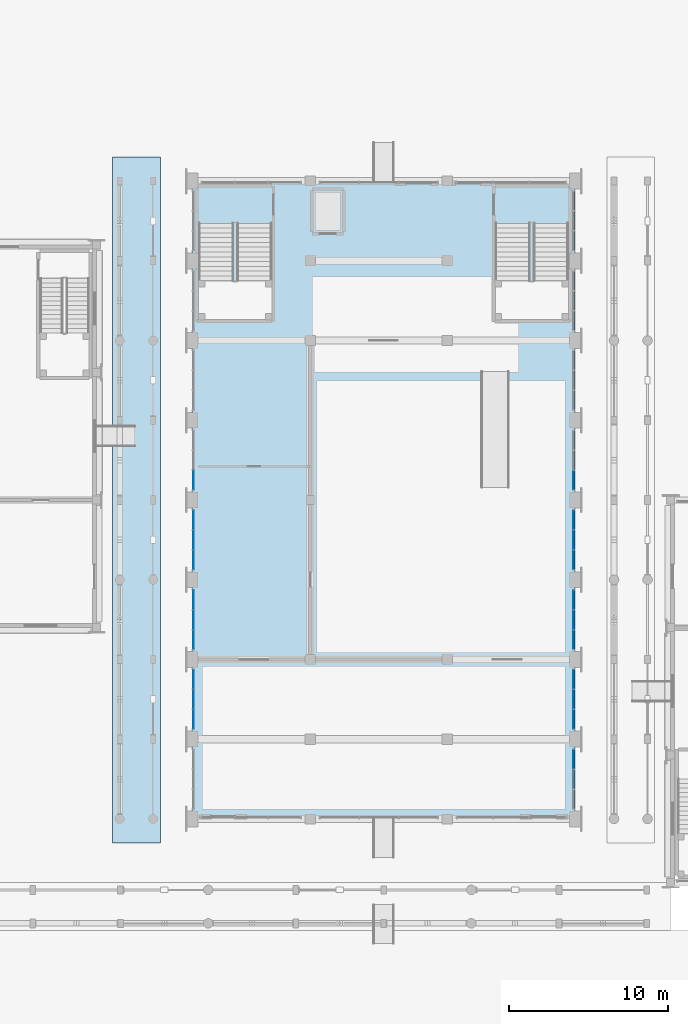
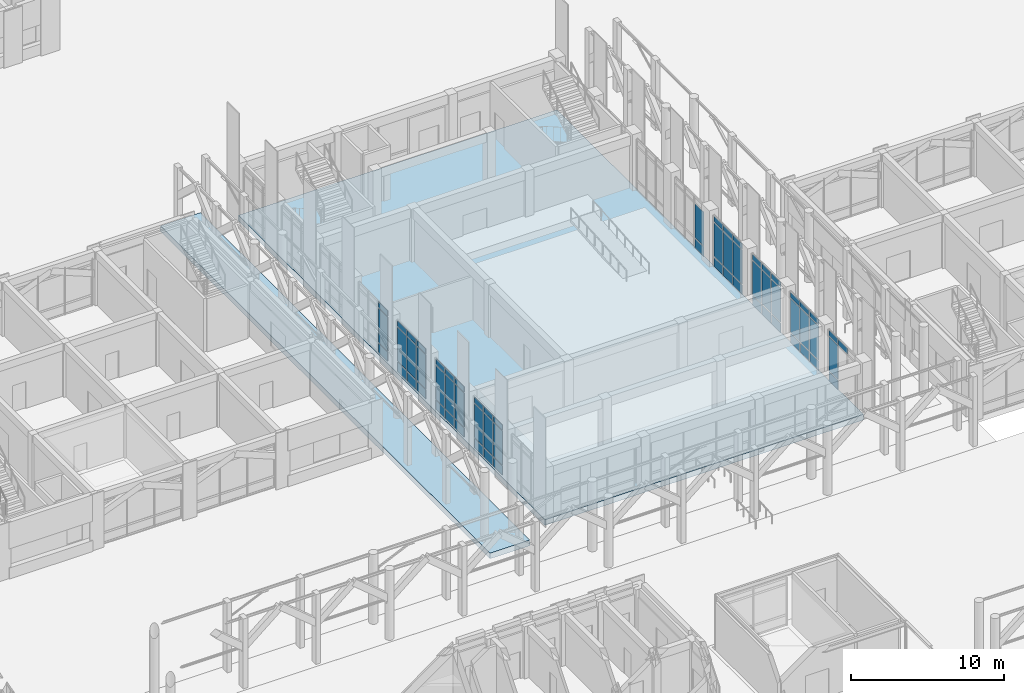
# One storey, part 61 of 135: 63 plates, 2 slabs, 9 elements without a shape of their own.
"""IFC4 building model written with IfcOpenShell, lengths in metres."""

from ifc_helpers import new_model, si_unit, direction, frame, origin, origin_2d, place, context, subcontext, project, spatial, polyline, rectangle, outline, extrude, material, layer, layer_set, type_object, element, aggregate, save


model = new_model("IFC4")

# Units and contexts
model_context = context("Model", 3, precision=1e-05, world=origin(), true_north=direction((0.0, 1.0)))
body_context = subcontext(model_context, "Body", "Model", "MODEL_VIEW")
ifc_project = project(units=[si_unit("LENGTHUNIT", "METRE"), si_unit("AREAUNIT", "SQUARE_METRE"), si_unit("VOLUMEUNIT", "CUBIC_METRE"), si_unit("PLANEANGLEUNIT", "RADIAN"), si_unit("MASSUNIT", "GRAM", prefix="KILO")], contexts=[model_context])

# Site, building, storey
site_placement = place(None, origin())
site = spatial("IfcSite", under=ifc_project, at=site_placement, CompositionType="ELEMENT")
building_placement = place(site_placement, origin())
building = spatial("IfcBuilding", under=site, at=building_placement, Name="Kiranvali Square Residences", CompositionType="ELEMENT")
storey_placement = place(building_placement, origin())
storey = spatial("IfcBuildingStorey", under=building, at=storey_placement, Name="L00", CompositionType="ELEMENT", Elevation=0.0)

# Curtain wall, plates
ifc_material_1 = material(Name="Anodised bronze aluminium framing", Category="aluminium")
curtain_wall_type = type_object("IfcCurtainWallType", Name="CW-CH-GLZ", PredefinedType="USERDEFINED", material=ifc_material_1)
curtain_wall_1_placement = place(storey_placement, origin())
curtain_wall_1 = element("IfcCurtainWall", 1, at=curtain_wall_1_placement, inside=storey, type_object=curtain_wall_type, Name="Community Hall L00 E glazed arcade bay 1", ObjectType="CURTAIN WALL", PredefinedType="USERDEFINED")
ifc_material_2 = material(Name="Solar-control low-e double glazing", Category="glass")
ifc_layer_1 = layer(ifc_material_2, 0.028076171875)
ifc_layer_set_1 = layer_set([ifc_layer_1], Name="Solar-control low-e double glazing")
plate_type_1 = type_object("IfcPlateType", Name="PLT-CW-GLZ", PredefinedType="CURTAIN_PANEL", material=ifc_layer_set_1)
plate_1_placement = place(storey_placement, frame((95.919921875, 46.5, 3.669921875), z_axis=(0.0, 0.0, 1.0), x_axis=(0.0, 1.0, 0.0)))
plate_1 = element("IfcPlate", 2, at=plate_1_placement, type_object=plate_type_1, Name="CW-CH-L00-E1 glazed panel 2.3", PredefinedType="CURTAIN_PANEL", context=body_context, shape_type="SweptSolid", body=[
    extrude(rectangle(XDim=1.166748046875, YDim=0.028076171875, at=origin_2d()), origin(), (0.0, 0.0, 1.0), 0.429931640625),
])
plate_2_placement = place(storey_placement, frame((95.919921875, 47.74658203125, 0.89013671875), z_axis=(0.0, 0.0, 1.0), x_axis=(0.0, 1.0, 0.0)))
plate_2 = element("IfcPlate", 3, at=plate_2_placement, type_object=plate_type_1, Name="CW-CH-L00-E1 glazed panel 3.2", PredefinedType="CURTAIN_PANEL", context=body_context, shape_type="SweptSolid", body=[
    extrude(rectangle(XDim=1.166748046875, YDim=0.028076171875, at=origin_2d()), origin(), (0.0, 0.0, 1.0), 2.699951171875),
])
plate_3_placement = place(storey_placement, frame((95.919921875, 47.74658203125, 3.669921875), z_axis=(0.0, 0.0, 1.0), x_axis=(0.0, 1.0, 0.0)))
plate_3 = element("IfcPlate", 4, at=plate_3_placement, type_object=plate_type_1, Name="CW-CH-L00-E1 glazed panel 3.3", PredefinedType="CURTAIN_PANEL", context=body_context, shape_type="SweptSolid", body=[
    extrude(rectangle(XDim=1.166748046875, YDim=0.028076171875, at=origin_2d()), origin(), (0.0, 0.0, 1.0), 0.429931640625),
])

curtain_wall_2_placement = place(storey_placement, origin())
curtain_wall_2 = element("IfcCurtainWall", 5, at=curtain_wall_2_placement, inside=storey, type_object=curtain_wall_type, Name="Community Hall L00 W glazed arcade bay 2", ObjectType="CURTAIN WALL", PredefinedType="USERDEFINED")
plate_4_placement = place(storey_placement, frame((72.080078125, 50.25341796875, 0.89013671875), z_axis=(0.0, 0.0, 1.0), x_axis=(0.0, 1.0, 0.0)))
plate_4 = element("IfcPlate", 6, at=plate_4_placement, type_object=plate_type_1, Name="CW-CH-L00-W2 glazed panel 1.2", PredefinedType="CURTAIN_PANEL", context=body_context, shape_type="SweptSolid", body=[
    extrude(rectangle(XDim=1.166748046875, YDim=0.028076171875, at=origin_2d()), origin(), (0.0, 0.0, 1.0), 2.699951171875),
])
plate_5_placement = place(storey_placement, frame((72.080078125, 50.25341796875, 3.669921875), z_axis=(0.0, 0.0, 1.0), x_axis=(0.0, 1.0, 0.0)))
plate_5 = element("IfcPlate", 7, at=plate_5_placement, type_object=plate_type_1, Name="CW-CH-L00-W2 glazed panel 1.3", PredefinedType="CURTAIN_PANEL", context=body_context, shape_type="SweptSolid", body=[
    extrude(rectangle(XDim=1.166748046875, YDim=0.028076171875, at=origin_2d()), origin(), (0.0, 0.0, 1.0), 0.429931640625),
])
plate_6_placement = place(storey_placement, frame((72.080078125, 51.5, 0.89013671875), z_axis=(0.0, 0.0, 1.0), x_axis=(0.0, 1.0, 0.0)))
plate_6 = element("IfcPlate", 8, at=plate_6_placement, type_object=plate_type_1, Name="CW-CH-L00-W2 glazed panel 2.2", PredefinedType="CURTAIN_PANEL", context=body_context, shape_type="SweptSolid", body=[
    extrude(rectangle(XDim=1.166748046875, YDim=0.028076171875, at=origin_2d()), origin(), (0.0, 0.0, 1.0), 2.699951171875),
])
plate_7_placement = place(storey_placement, frame((72.080078125, 51.5, 3.669921875), z_axis=(0.0, 0.0, 1.0), x_axis=(0.0, 1.0, 0.0)))
plate_7 = element("IfcPlate", 9, at=plate_7_placement, type_object=plate_type_1, Name="CW-CH-L00-W2 glazed panel 2.3", PredefinedType="CURTAIN_PANEL", context=body_context, shape_type="SweptSolid", body=[
    extrude(rectangle(XDim=1.166748046875, YDim=0.028076171875, at=origin_2d()), origin(), (0.0, 0.0, 1.0), 0.429931640625),
])
plate_8_placement = place(storey_placement, frame((72.080078125, 52.74658203125, 0.89013671875), z_axis=(0.0, 0.0, 1.0), x_axis=(0.0, 1.0, 0.0)))
plate_8 = element("IfcPlate", 10, at=plate_8_placement, type_object=plate_type_1, Name="CW-CH-L00-W2 glazed panel 3.2", PredefinedType="CURTAIN_PANEL", context=body_context, shape_type="SweptSolid", body=[
    extrude(rectangle(XDim=1.166748046875, YDim=0.028076171875, at=origin_2d()), origin(), (0.0, 0.0, 1.0), 2.699951171875),
])
plate_9_placement = place(storey_placement, frame((72.080078125, 52.74658203125, 3.669921875), z_axis=(0.0, 0.0, 1.0), x_axis=(0.0, 1.0, 0.0)))
plate_9 = element("IfcPlate", 11, at=plate_9_placement, type_object=plate_type_1, Name="CW-CH-L00-W2 glazed panel 3.3", PredefinedType="CURTAIN_PANEL", context=body_context, shape_type="SweptSolid", body=[
    extrude(rectangle(XDim=1.166748046875, YDim=0.028076171875, at=origin_2d()), origin(), (0.0, 0.0, 1.0), 0.429931640625),
])

curtain_wall_3_placement = place(storey_placement, origin())
curtain_wall_3 = element("IfcCurtainWall", 12, at=curtain_wall_3_placement, inside=storey, type_object=curtain_wall_type, Name="Community Hall L00 E glazed arcade bay 2", ObjectType="CURTAIN WALL", PredefinedType="USERDEFINED")
plate_10_placement = place(storey_placement, frame((95.919921875, 50.25341796875, 0.89013671875), z_axis=(0.0, 0.0, 1.0), x_axis=(0.0, 1.0, 0.0)))
plate_10 = element("IfcPlate", 13, at=plate_10_placement, type_object=plate_type_1, Name="CW-CH-L00-E2 glazed panel 1.2", PredefinedType="CURTAIN_PANEL", context=body_context, shape_type="SweptSolid", body=[
    extrude(rectangle(XDim=1.166748046875, YDim=0.028076171875, at=origin_2d()), origin(), (0.0, 0.0, 1.0), 2.699951171875),
])
plate_11_placement = place(storey_placement, frame((95.919921875, 50.25341796875, 3.669921875), z_axis=(0.0, 0.0, 1.0), x_axis=(0.0, 1.0, 0.0)))
plate_11 = element("IfcPlate", 14, at=plate_11_placement, type_object=plate_type_1, Name="CW-CH-L00-E2 glazed panel 1.3", PredefinedType="CURTAIN_PANEL", context=body_context, shape_type="SweptSolid", body=[
    extrude(rectangle(XDim=1.166748046875, YDim=0.028076171875, at=origin_2d()), origin(), (0.0, 0.0, 1.0), 0.429931640625),
])
plate_12_placement = place(storey_placement, frame((95.919921875, 51.5, 0.89013671875), z_axis=(0.0, 0.0, 1.0), x_axis=(0.0, 1.0, 0.0)))
plate_12 = element("IfcPlate", 15, at=plate_12_placement, type_object=plate_type_1, Name="CW-CH-L00-E2 glazed panel 2.2", PredefinedType="CURTAIN_PANEL", context=body_context, shape_type="SweptSolid", body=[
    extrude(rectangle(XDim=1.166748046875, YDim=0.028076171875, at=origin_2d()), origin(), (0.0, 0.0, 1.0), 2.699951171875),
])
plate_13_placement = place(storey_placement, frame((95.919921875, 51.5, 3.669921875), z_axis=(0.0, 0.0, 1.0), x_axis=(0.0, 1.0, 0.0)))
plate_13 = element("IfcPlate", 16, at=plate_13_placement, type_object=plate_type_1, Name="CW-CH-L00-E2 glazed panel 2.3", PredefinedType="CURTAIN_PANEL", context=body_context, shape_type="SweptSolid", body=[
    extrude(rectangle(XDim=1.166748046875, YDim=0.028076171875, at=origin_2d()), origin(), (0.0, 0.0, 1.0), 0.429931640625),
])
plate_14_placement = place(storey_placement, frame((95.919921875, 52.74658203125, 0.89013671875), z_axis=(0.0, 0.0, 1.0), x_axis=(0.0, 1.0, 0.0)))
plate_14 = element("IfcPlate", 17, at=plate_14_placement, type_object=plate_type_1, Name="CW-CH-L00-E2 glazed panel 3.2", PredefinedType="CURTAIN_PANEL", context=body_context, shape_type="SweptSolid", body=[
    extrude(rectangle(XDim=1.166748046875, YDim=0.028076171875, at=origin_2d()), origin(), (0.0, 0.0, 1.0), 2.699951171875),
])
plate_15_placement = place(storey_placement, frame((95.919921875, 52.74658203125, 3.669921875), z_axis=(0.0, 0.0, 1.0), x_axis=(0.0, 1.0, 0.0)))
plate_15 = element("IfcPlate", 18, at=plate_15_placement, type_object=plate_type_1, Name="CW-CH-L00-E2 glazed panel 3.3", PredefinedType="CURTAIN_PANEL", context=body_context, shape_type="SweptSolid", body=[
    extrude(rectangle(XDim=1.166748046875, YDim=0.028076171875, at=origin_2d()), origin(), (0.0, 0.0, 1.0), 0.429931640625),
])

curtain_wall_4_placement = place(storey_placement, origin())
curtain_wall_4 = element("IfcCurtainWall", 19, at=curtain_wall_4_placement, inside=storey, type_object=curtain_wall_type, Name="Community Hall L00 W glazed arcade bay 3", ObjectType="CURTAIN WALL", PredefinedType="USERDEFINED")
plate_16_placement = place(storey_placement, frame((72.080078125, 55.25341796875, 0.89013671875), z_axis=(0.0, 0.0, 1.0), x_axis=(0.0, 1.0, 0.0)))
plate_16 = element("IfcPlate", 20, at=plate_16_placement, type_object=plate_type_1, Name="CW-CH-L00-W3 glazed panel 1.2", PredefinedType="CURTAIN_PANEL", context=body_context, shape_type="SweptSolid", body=[
    extrude(rectangle(XDim=1.166748046875, YDim=0.028076171875, at=origin_2d()), origin(), (0.0, 0.0, 1.0), 2.699951171875),
])
plate_17_placement = place(storey_placement, frame((72.080078125, 55.25341796875, 3.669921875), z_axis=(0.0, 0.0, 1.0), x_axis=(0.0, 1.0, 0.0)))
plate_17 = element("IfcPlate", 21, at=plate_17_placement, type_object=plate_type_1, Name="CW-CH-L00-W3 glazed panel 1.3", PredefinedType="CURTAIN_PANEL", context=body_context, shape_type="SweptSolid", body=[
    extrude(rectangle(XDim=1.166748046875, YDim=0.028076171875, at=origin_2d()), origin(), (0.0, 0.0, 1.0), 0.429931640625),
])
plate_18_placement = place(storey_placement, frame((72.080078125, 56.5, 0.89013671875), z_axis=(0.0, 0.0, 1.0), x_axis=(0.0, 1.0, 0.0)))
plate_18 = element("IfcPlate", 22, at=plate_18_placement, type_object=plate_type_1, Name="CW-CH-L00-W3 glazed panel 2.2", PredefinedType="CURTAIN_PANEL", context=body_context, shape_type="SweptSolid", body=[
    extrude(rectangle(XDim=1.166748046875, YDim=0.028076171875, at=origin_2d()), origin(), (0.0, 0.0, 1.0), 2.699951171875),
])
plate_19_placement = place(storey_placement, frame((72.080078125, 56.5, 3.669921875), z_axis=(0.0, 0.0, 1.0), x_axis=(0.0, 1.0, 0.0)))
plate_19 = element("IfcPlate", 23, at=plate_19_placement, type_object=plate_type_1, Name="CW-CH-L00-W3 glazed panel 2.3", PredefinedType="CURTAIN_PANEL", context=body_context, shape_type="SweptSolid", body=[
    extrude(rectangle(XDim=1.166748046875, YDim=0.028076171875, at=origin_2d()), origin(), (0.0, 0.0, 1.0), 0.429931640625),
])
plate_20_placement = place(storey_placement, frame((72.080078125, 57.74658203125, 0.89013671875), z_axis=(0.0, 0.0, 1.0), x_axis=(0.0, 1.0, 0.0)))
plate_20 = element("IfcPlate", 24, at=plate_20_placement, type_object=plate_type_1, Name="CW-CH-L00-W3 glazed panel 3.2", PredefinedType="CURTAIN_PANEL", context=body_context, shape_type="SweptSolid", body=[
    extrude(rectangle(XDim=1.166748046875, YDim=0.028076171875, at=origin_2d()), origin(), (0.0, 0.0, 1.0), 2.699951171875),
])
plate_21_placement = place(storey_placement, frame((72.080078125, 57.74658203125, 3.669921875), z_axis=(0.0, 0.0, 1.0), x_axis=(0.0, 1.0, 0.0)))
plate_21 = element("IfcPlate", 25, at=plate_21_placement, type_object=plate_type_1, Name="CW-CH-L00-W3 glazed panel 3.3", PredefinedType="CURTAIN_PANEL", context=body_context, shape_type="SweptSolid", body=[
    extrude(rectangle(XDim=1.166748046875, YDim=0.028076171875, at=origin_2d()), origin(), (0.0, 0.0, 1.0), 0.429931640625),
])

curtain_wall_5_placement = place(storey_placement, origin())
curtain_wall_5 = element("IfcCurtainWall", 26, at=curtain_wall_5_placement, inside=storey, type_object=curtain_wall_type, Name="Community Hall L00 E glazed arcade bay 3", ObjectType="CURTAIN WALL", PredefinedType="USERDEFINED")
plate_22_placement = place(storey_placement, frame((95.919921875, 55.25341796875, 0.89013671875), z_axis=(0.0, 0.0, 1.0), x_axis=(0.0, 1.0, 0.0)))
plate_22 = element("IfcPlate", 27, at=plate_22_placement, type_object=plate_type_1, Name="CW-CH-L00-E3 glazed panel 1.2", PredefinedType="CURTAIN_PANEL", context=body_context, shape_type="SweptSolid", body=[
    extrude(rectangle(XDim=1.166748046875, YDim=0.028076171875, at=origin_2d()), origin(), (0.0, 0.0, 1.0), 2.699951171875),
])
plate_23_placement = place(storey_placement, frame((95.919921875, 55.25341796875, 3.669921875), z_axis=(0.0, 0.0, 1.0), x_axis=(0.0, 1.0, 0.0)))
plate_23 = element("IfcPlate", 28, at=plate_23_placement, type_object=plate_type_1, Name="CW-CH-L00-E3 glazed panel 1.3", PredefinedType="CURTAIN_PANEL", context=body_context, shape_type="SweptSolid", body=[
    extrude(rectangle(XDim=1.166748046875, YDim=0.028076171875, at=origin_2d()), origin(), (0.0, 0.0, 1.0), 0.429931640625),
])
plate_24_placement = place(storey_placement, frame((95.919921875, 56.5, 0.89013671875), z_axis=(0.0, 0.0, 1.0), x_axis=(0.0, 1.0, 0.0)))
plate_24 = element("IfcPlate", 29, at=plate_24_placement, type_object=plate_type_1, Name="CW-CH-L00-E3 glazed panel 2.2", PredefinedType="CURTAIN_PANEL", context=body_context, shape_type="SweptSolid", body=[
    extrude(rectangle(XDim=1.166748046875, YDim=0.028076171875, at=origin_2d()), origin(), (0.0, 0.0, 1.0), 2.699951171875),
])
plate_25_placement = place(storey_placement, frame((95.919921875, 56.5, 3.669921875), z_axis=(0.0, 0.0, 1.0), x_axis=(0.0, 1.0, 0.0)))
plate_25 = element("IfcPlate", 30, at=plate_25_placement, type_object=plate_type_1, Name="CW-CH-L00-E3 glazed panel 2.3", PredefinedType="CURTAIN_PANEL", context=body_context, shape_type="SweptSolid", body=[
    extrude(rectangle(XDim=1.166748046875, YDim=0.028076171875, at=origin_2d()), origin(), (0.0, 0.0, 1.0), 0.429931640625),
])
plate_26_placement = place(storey_placement, frame((95.919921875, 57.74658203125, 0.89013671875), z_axis=(0.0, 0.0, 1.0), x_axis=(0.0, 1.0, 0.0)))
plate_26 = element("IfcPlate", 31, at=plate_26_placement, type_object=plate_type_1, Name="CW-CH-L00-E3 glazed panel 3.2", PredefinedType="CURTAIN_PANEL", context=body_context, shape_type="SweptSolid", body=[
    extrude(rectangle(XDim=1.166748046875, YDim=0.028076171875, at=origin_2d()), origin(), (0.0, 0.0, 1.0), 2.699951171875),
])
plate_27_placement = place(storey_placement, frame((95.919921875, 57.74658203125, 3.669921875), z_axis=(0.0, 0.0, 1.0), x_axis=(0.0, 1.0, 0.0)))
plate_27 = element("IfcPlate", 32, at=plate_27_placement, type_object=plate_type_1, Name="CW-CH-L00-E3 glazed panel 3.3", PredefinedType="CURTAIN_PANEL", context=body_context, shape_type="SweptSolid", body=[
    extrude(rectangle(XDim=1.166748046875, YDim=0.028076171875, at=origin_2d()), origin(), (0.0, 0.0, 1.0), 0.429931640625),
])

curtain_wall_6_placement = place(storey_placement, origin())
curtain_wall_6 = element("IfcCurtainWall", 33, at=curtain_wall_6_placement, inside=storey, type_object=curtain_wall_type, Name="Community Hall L00 W glazed arcade bay 4", ObjectType="CURTAIN WALL", PredefinedType="USERDEFINED")
plate_28_placement = place(storey_placement, frame((72.080078125, 60.25341796875, 0.89013671875), z_axis=(0.0, 0.0, 1.0), x_axis=(0.0, 1.0, 0.0)))
plate_28 = element("IfcPlate", 34, at=plate_28_placement, type_object=plate_type_1, Name="CW-CH-L00-W4 glazed panel 1.2", PredefinedType="CURTAIN_PANEL", context=body_context, shape_type="SweptSolid", body=[
    extrude(rectangle(XDim=1.166748046875, YDim=0.028076171875, at=origin_2d()), origin(), (0.0, 0.0, 1.0), 2.699951171875),
])
plate_29_placement = place(storey_placement, frame((72.080078125, 60.25341796875, 3.669921875), z_axis=(0.0, 0.0, 1.0), x_axis=(0.0, 1.0, 0.0)))
plate_29 = element("IfcPlate", 35, at=plate_29_placement, type_object=plate_type_1, Name="CW-CH-L00-W4 glazed panel 1.3", PredefinedType="CURTAIN_PANEL", context=body_context, shape_type="SweptSolid", body=[
    extrude(rectangle(XDim=1.166748046875, YDim=0.028076171875, at=origin_2d()), origin(), (0.0, 0.0, 1.0), 0.429931640625),
])
plate_30_placement = place(storey_placement, frame((72.080078125, 61.5, 0.89013671875), z_axis=(0.0, 0.0, 1.0), x_axis=(0.0, 1.0, 0.0)))
plate_30 = element("IfcPlate", 36, at=plate_30_placement, type_object=plate_type_1, Name="CW-CH-L00-W4 glazed panel 2.2", PredefinedType="CURTAIN_PANEL", context=body_context, shape_type="SweptSolid", body=[
    extrude(rectangle(XDim=1.166748046875, YDim=0.028076171875, at=origin_2d()), origin(), (0.0, 0.0, 1.0), 2.699951171875),
])
plate_31_placement = place(storey_placement, frame((72.080078125, 61.5, 3.669921875), z_axis=(0.0, 0.0, 1.0), x_axis=(0.0, 1.0, 0.0)))
plate_31 = element("IfcPlate", 37, at=plate_31_placement, type_object=plate_type_1, Name="CW-CH-L00-W4 glazed panel 2.3", PredefinedType="CURTAIN_PANEL", context=body_context, shape_type="SweptSolid", body=[
    extrude(rectangle(XDim=1.166748046875, YDim=0.028076171875, at=origin_2d()), origin(), (0.0, 0.0, 1.0), 0.429931640625),
])
plate_32_placement = place(storey_placement, frame((72.080078125, 62.74658203125, 0.89013671875), z_axis=(0.0, 0.0, 1.0), x_axis=(0.0, 1.0, 0.0)))
plate_32 = element("IfcPlate", 38, at=plate_32_placement, type_object=plate_type_1, Name="CW-CH-L00-W4 glazed panel 3.2", PredefinedType="CURTAIN_PANEL", context=body_context, shape_type="SweptSolid", body=[
    extrude(rectangle(XDim=1.166748046875, YDim=0.028076171875, at=origin_2d()), origin(), (0.0, 0.0, 1.0), 2.699951171875),
])
plate_33_placement = place(storey_placement, frame((72.080078125, 62.74658203125, 3.669921875), z_axis=(0.0, 0.0, 1.0), x_axis=(0.0, 1.0, 0.0)))
plate_33 = element("IfcPlate", 39, at=plate_33_placement, type_object=plate_type_1, Name="CW-CH-L00-W4 glazed panel 3.3", PredefinedType="CURTAIN_PANEL", context=body_context, shape_type="SweptSolid", body=[
    extrude(rectangle(XDim=1.166748046875, YDim=0.028076171875, at=origin_2d()), origin(), (0.0, 0.0, 1.0), 0.429931640625),
])

curtain_wall_7_placement = place(storey_placement, origin())
curtain_wall_7 = element("IfcCurtainWall", 40, at=curtain_wall_7_placement, inside=storey, type_object=curtain_wall_type, Name="Community Hall L00 E glazed arcade bay 4", ObjectType="CURTAIN WALL", PredefinedType="USERDEFINED")
plate_34_placement = place(storey_placement, frame((95.919921875, 60.25341796875, 0.89013671875), z_axis=(0.0, 0.0, 1.0), x_axis=(0.0, 1.0, 0.0)))
plate_34 = element("IfcPlate", 41, at=plate_34_placement, type_object=plate_type_1, Name="CW-CH-L00-E4 glazed panel 1.2", PredefinedType="CURTAIN_PANEL", context=body_context, shape_type="SweptSolid", body=[
    extrude(rectangle(XDim=1.166748046875, YDim=0.028076171875, at=origin_2d()), origin(), (0.0, 0.0, 1.0), 2.699951171875),
])
plate_35_placement = place(storey_placement, frame((95.919921875, 60.25341796875, 3.669921875), z_axis=(0.0, 0.0, 1.0), x_axis=(0.0, 1.0, 0.0)))
plate_35 = element("IfcPlate", 42, at=plate_35_placement, type_object=plate_type_1, Name="CW-CH-L00-E4 glazed panel 1.3", PredefinedType="CURTAIN_PANEL", context=body_context, shape_type="SweptSolid", body=[
    extrude(rectangle(XDim=1.166748046875, YDim=0.028076171875, at=origin_2d()), origin(), (0.0, 0.0, 1.0), 0.429931640625),
])
plate_36_placement = place(storey_placement, frame((95.919921875, 61.5, 0.89013671875), z_axis=(0.0, 0.0, 1.0), x_axis=(0.0, 1.0, 0.0)))
plate_36 = element("IfcPlate", 43, at=plate_36_placement, type_object=plate_type_1, Name="CW-CH-L00-E4 glazed panel 2.2", PredefinedType="CURTAIN_PANEL", context=body_context, shape_type="SweptSolid", body=[
    extrude(rectangle(XDim=1.166748046875, YDim=0.028076171875, at=origin_2d()), origin(), (0.0, 0.0, 1.0), 2.699951171875),
])
plate_37_placement = place(storey_placement, frame((95.919921875, 61.5, 3.669921875), z_axis=(0.0, 0.0, 1.0), x_axis=(0.0, 1.0, 0.0)))
plate_37 = element("IfcPlate", 44, at=plate_37_placement, type_object=plate_type_1, Name="CW-CH-L00-E4 glazed panel 2.3", PredefinedType="CURTAIN_PANEL", context=body_context, shape_type="SweptSolid", body=[
    extrude(rectangle(XDim=1.166748046875, YDim=0.028076171875, at=origin_2d()), origin(), (0.0, 0.0, 1.0), 0.429931640625),
])
plate_38_placement = place(storey_placement, frame((95.919921875, 62.74658203125, 0.89013671875), z_axis=(0.0, 0.0, 1.0), x_axis=(0.0, 1.0, 0.0)))
plate_38 = element("IfcPlate", 45, at=plate_38_placement, type_object=plate_type_1, Name="CW-CH-L00-E4 glazed panel 3.2", PredefinedType="CURTAIN_PANEL", context=body_context, shape_type="SweptSolid", body=[
    extrude(rectangle(XDim=1.166748046875, YDim=0.028076171875, at=origin_2d()), origin(), (0.0, 0.0, 1.0), 2.699951171875),
])
plate_39_placement = place(storey_placement, frame((95.919921875, 62.74658203125, 3.669921875), z_axis=(0.0, 0.0, 1.0), x_axis=(0.0, 1.0, 0.0)))
plate_39 = element("IfcPlate", 46, at=plate_39_placement, type_object=plate_type_1, Name="CW-CH-L00-E4 glazed panel 3.3", PredefinedType="CURTAIN_PANEL", context=body_context, shape_type="SweptSolid", body=[
    extrude(rectangle(XDim=1.166748046875, YDim=0.028076171875, at=origin_2d()), origin(), (0.0, 0.0, 1.0), 0.429931640625),
])

curtain_wall_8_placement = place(storey_placement, origin())
curtain_wall_8 = element("IfcCurtainWall", 47, at=curtain_wall_8_placement, inside=storey, type_object=curtain_wall_type, Name="Community Hall L00 W glazed arcade bay 5", ObjectType="CURTAIN WALL", PredefinedType="USERDEFINED")
plate_40_placement = place(storey_placement, frame((72.080078125, 65.25341796875, 0.89013671875), z_axis=(0.0, 0.0, 1.0), x_axis=(0.0, 1.0, 0.0)))
plate_40 = element("IfcPlate", 48, at=plate_40_placement, type_object=plate_type_1, Name="CW-CH-L00-W5 glazed panel 1.2", PredefinedType="CURTAIN_PANEL", context=body_context, shape_type="SweptSolid", body=[
    extrude(rectangle(XDim=1.166748046875, YDim=0.028076171875, at=origin_2d()), origin(), (0.0, 0.0, 1.0), 2.699951171875),
])
plate_41_placement = place(storey_placement, frame((72.080078125, 65.25341796875, 3.669921875), z_axis=(0.0, 0.0, 1.0), x_axis=(0.0, 1.0, 0.0)))
plate_41 = element("IfcPlate", 49, at=plate_41_placement, type_object=plate_type_1, Name="CW-CH-L00-W5 glazed panel 1.3", PredefinedType="CURTAIN_PANEL", context=body_context, shape_type="SweptSolid", body=[
    extrude(rectangle(XDim=1.166748046875, YDim=0.028076171875, at=origin_2d()), origin(), (0.0, 0.0, 1.0), 0.429931640625),
])

# Curtain wall, plate
curtain_wall_9_placement = place(storey_placement, origin())
curtain_wall_9 = element("IfcCurtainWall", 50, at=curtain_wall_9_placement, inside=storey, type_object=curtain_wall_type, Name="Community Hall L00 E glazed arcade bay 5", ObjectType="CURTAIN WALL", PredefinedType="USERDEFINED")
plate_42_placement = place(storey_placement, frame((95.919921875, 65.25341796875, 0.89013671875), z_axis=(0.0, 0.0, 1.0), x_axis=(0.0, 1.0, 0.0)))
plate_42 = element("IfcPlate", 51, at=plate_42_placement, type_object=plate_type_1, Name="CW-CH-L00-E5 glazed panel 1.2", PredefinedType="CURTAIN_PANEL", context=body_context, shape_type="SweptSolid", body=[
    extrude(rectangle(XDim=1.166748046875, YDim=0.028076171875, at=origin_2d()), origin(), (0.0, 0.0, 1.0), 2.699951171875),
])

# Plate
ifc_material_3 = material(Name="Honed Porbandar limestone ashlar facade cladding", Category="masonry")
ifc_layer_2 = layer(ifc_material_3, 0.02392578125)
ifc_layer_set_2 = layer_set([ifc_layer_2], Name="Honed Porbandar limestone ashlar facade cladding")
plate_type_2 = type_object("IfcPlateType", Name="PLT-CW-SPN", PredefinedType="SHEET", material=ifc_layer_set_2)
plate_43_placement = place(storey_placement, frame((95.919921875, 47.74658203125, 0.080078125), z_axis=(0.0, 0.0, 1.0), x_axis=(0.0, 1.0, 0.0)))
plate_43 = element("IfcPlate", 52, at=plate_43_placement, type_object=plate_type_2, Name="CW-CH-L00-E1 spandrel panel 3.1", PredefinedType="SHEET", context=body_context, shape_type="SweptSolid", body=[
    extrude(rectangle(XDim=1.166748046875, YDim=0.02392578125, at=origin_2d()), origin(), (0.0, 0.0, 1.0), 0.72998046875),
])

aggregate(curtain_wall_1, [plate_1, plate_43, plate_2, plate_3])

plate_44_placement = place(storey_placement, frame((72.080078125, 50.25341796875, 0.080078125), z_axis=(0.0, 0.0, 1.0), x_axis=(0.0, 1.0, 0.0)))
plate_44 = element("IfcPlate", 53, at=plate_44_placement, type_object=plate_type_2, Name="CW-CH-L00-W2 spandrel panel 1.1", PredefinedType="SHEET", context=body_context, shape_type="SweptSolid", body=[
    extrude(rectangle(XDim=1.166748046875, YDim=0.02392578125, at=origin_2d()), origin(), (0.0, 0.0, 1.0), 0.72998046875),
])

plate_45_placement = place(storey_placement, frame((72.080078125, 51.5, 0.080078125), z_axis=(0.0, 0.0, 1.0), x_axis=(0.0, 1.0, 0.0)))
plate_45 = element("IfcPlate", 54, at=plate_45_placement, type_object=plate_type_2, Name="CW-CH-L00-W2 spandrel panel 2.1", PredefinedType="SHEET", context=body_context, shape_type="SweptSolid", body=[
    extrude(rectangle(XDim=1.166748046875, YDim=0.02392578125, at=origin_2d()), origin(), (0.0, 0.0, 1.0), 0.72998046875),
])

plate_46_placement = place(storey_placement, frame((72.080078125, 52.74658203125, 0.080078125), z_axis=(0.0, 0.0, 1.0), x_axis=(0.0, 1.0, 0.0)))
plate_46 = element("IfcPlate", 55, at=plate_46_placement, type_object=plate_type_2, Name="CW-CH-L00-W2 spandrel panel 3.1", PredefinedType="SHEET", context=body_context, shape_type="SweptSolid", body=[
    extrude(rectangle(XDim=1.166748046875, YDim=0.02392578125, at=origin_2d()), origin(), (0.0, 0.0, 1.0), 0.72998046875),
])

aggregate(curtain_wall_2, [plate_44, plate_4, plate_5, plate_45, plate_6, plate_7, plate_46, plate_8, plate_9])

plate_47_placement = place(storey_placement, frame((95.919921875, 50.25341796875, 0.080078125), z_axis=(0.0, 0.0, 1.0), x_axis=(0.0, 1.0, 0.0)))
plate_47 = element("IfcPlate", 56, at=plate_47_placement, type_object=plate_type_2, Name="CW-CH-L00-E2 spandrel panel 1.1", PredefinedType="SHEET", context=body_context, shape_type="SweptSolid", body=[
    extrude(rectangle(XDim=1.166748046875, YDim=0.02392578125, at=origin_2d()), origin(), (0.0, 0.0, 1.0), 0.72998046875),
])

plate_48_placement = place(storey_placement, frame((95.919921875, 51.5, 0.080078125), z_axis=(0.0, 0.0, 1.0), x_axis=(0.0, 1.0, 0.0)))
plate_48 = element("IfcPlate", 57, at=plate_48_placement, type_object=plate_type_2, Name="CW-CH-L00-E2 spandrel panel 2.1", PredefinedType="SHEET", context=body_context, shape_type="SweptSolid", body=[
    extrude(rectangle(XDim=1.166748046875, YDim=0.02392578125, at=origin_2d()), origin(), (0.0, 0.0, 1.0), 0.72998046875),
])

plate_49_placement = place(storey_placement, frame((95.919921875, 52.74658203125, 0.080078125), z_axis=(0.0, 0.0, 1.0), x_axis=(0.0, 1.0, 0.0)))
plate_49 = element("IfcPlate", 58, at=plate_49_placement, type_object=plate_type_2, Name="CW-CH-L00-E2 spandrel panel 3.1", PredefinedType="SHEET", context=body_context, shape_type="SweptSolid", body=[
    extrude(rectangle(XDim=1.166748046875, YDim=0.02392578125, at=origin_2d()), origin(), (0.0, 0.0, 1.0), 0.72998046875),
])

aggregate(curtain_wall_3, [plate_47, plate_10, plate_11, plate_48, plate_12, plate_13, plate_49, plate_14, plate_15])

plate_50_placement = place(storey_placement, frame((72.080078125, 55.25341796875, 0.080078125), z_axis=(0.0, 0.0, 1.0), x_axis=(0.0, 1.0, 0.0)))
plate_50 = element("IfcPlate", 59, at=plate_50_placement, type_object=plate_type_2, Name="CW-CH-L00-W3 spandrel panel 1.1", PredefinedType="SHEET", context=body_context, shape_type="SweptSolid", body=[
    extrude(rectangle(XDim=1.166748046875, YDim=0.02392578125, at=origin_2d()), origin(), (0.0, 0.0, 1.0), 0.72998046875),
])

plate_51_placement = place(storey_placement, frame((72.080078125, 56.5, 0.080078125), z_axis=(0.0, 0.0, 1.0), x_axis=(0.0, 1.0, 0.0)))
plate_51 = element("IfcPlate", 60, at=plate_51_placement, type_object=plate_type_2, Name="CW-CH-L00-W3 spandrel panel 2.1", PredefinedType="SHEET", context=body_context, shape_type="SweptSolid", body=[
    extrude(rectangle(XDim=1.166748046875, YDim=0.02392578125, at=origin_2d()), origin(), (0.0, 0.0, 1.0), 0.72998046875),
])

plate_52_placement = place(storey_placement, frame((72.080078125, 57.74658203125, 0.080078125), z_axis=(0.0, 0.0, 1.0), x_axis=(0.0, 1.0, 0.0)))
plate_52 = element("IfcPlate", 61, at=plate_52_placement, type_object=plate_type_2, Name="CW-CH-L00-W3 spandrel panel 3.1", PredefinedType="SHEET", context=body_context, shape_type="SweptSolid", body=[
    extrude(rectangle(XDim=1.166748046875, YDim=0.02392578125, at=origin_2d()), origin(), (0.0, 0.0, 1.0), 0.72998046875),
])

aggregate(curtain_wall_4, [plate_50, plate_16, plate_17, plate_51, plate_18, plate_19, plate_52, plate_20, plate_21])

plate_53_placement = place(storey_placement, frame((95.919921875, 55.25341796875, 0.080078125), z_axis=(0.0, 0.0, 1.0), x_axis=(0.0, 1.0, 0.0)))
plate_53 = element("IfcPlate", 62, at=plate_53_placement, type_object=plate_type_2, Name="CW-CH-L00-E3 spandrel panel 1.1", PredefinedType="SHEET", context=body_context, shape_type="SweptSolid", body=[
    extrude(rectangle(XDim=1.166748046875, YDim=0.02392578125, at=origin_2d()), origin(), (0.0, 0.0, 1.0), 0.72998046875),
])

plate_54_placement = place(storey_placement, frame((95.919921875, 56.5, 0.080078125), z_axis=(0.0, 0.0, 1.0), x_axis=(0.0, 1.0, 0.0)))
plate_54 = element("IfcPlate", 63, at=plate_54_placement, type_object=plate_type_2, Name="CW-CH-L00-E3 spandrel panel 2.1", PredefinedType="SHEET", context=body_context, shape_type="SweptSolid", body=[
    extrude(rectangle(XDim=1.166748046875, YDim=0.02392578125, at=origin_2d()), origin(), (0.0, 0.0, 1.0), 0.72998046875),
])

plate_55_placement = place(storey_placement, frame((95.919921875, 57.74658203125, 0.080078125), z_axis=(0.0, 0.0, 1.0), x_axis=(0.0, 1.0, 0.0)))
plate_55 = element("IfcPlate", 64, at=plate_55_placement, type_object=plate_type_2, Name="CW-CH-L00-E3 spandrel panel 3.1", PredefinedType="SHEET", context=body_context, shape_type="SweptSolid", body=[
    extrude(rectangle(XDim=1.166748046875, YDim=0.02392578125, at=origin_2d()), origin(), (0.0, 0.0, 1.0), 0.72998046875),
])

aggregate(curtain_wall_5, [plate_53, plate_22, plate_23, plate_54, plate_24, plate_25, plate_55, plate_26, plate_27])

plate_56_placement = place(storey_placement, frame((72.080078125, 60.25341796875, 0.080078125), z_axis=(0.0, 0.0, 1.0), x_axis=(0.0, 1.0, 0.0)))
plate_56 = element("IfcPlate", 65, at=plate_56_placement, type_object=plate_type_2, Name="CW-CH-L00-W4 spandrel panel 1.1", PredefinedType="SHEET", context=body_context, shape_type="SweptSolid", body=[
    extrude(rectangle(XDim=1.166748046875, YDim=0.02392578125, at=origin_2d()), origin(), (0.0, 0.0, 1.0), 0.72998046875),
])

plate_57_placement = place(storey_placement, frame((72.080078125, 61.5, 0.080078125), z_axis=(0.0, 0.0, 1.0), x_axis=(0.0, 1.0, 0.0)))
plate_57 = element("IfcPlate", 66, at=plate_57_placement, type_object=plate_type_2, Name="CW-CH-L00-W4 spandrel panel 2.1", PredefinedType="SHEET", context=body_context, shape_type="SweptSolid", body=[
    extrude(rectangle(XDim=1.166748046875, YDim=0.02392578125, at=origin_2d()), origin(), (0.0, 0.0, 1.0), 0.72998046875),
])

plate_58_placement = place(storey_placement, frame((72.080078125, 62.74658203125, 0.080078125), z_axis=(0.0, 0.0, 1.0), x_axis=(0.0, 1.0, 0.0)))
plate_58 = element("IfcPlate", 67, at=plate_58_placement, type_object=plate_type_2, Name="CW-CH-L00-W4 spandrel panel 3.1", PredefinedType="SHEET", context=body_context, shape_type="SweptSolid", body=[
    extrude(rectangle(XDim=1.166748046875, YDim=0.02392578125, at=origin_2d()), origin(), (0.0, 0.0, 1.0), 0.72998046875),
])

aggregate(curtain_wall_6, [plate_56, plate_28, plate_29, plate_57, plate_30, plate_31, plate_58, plate_32, plate_33])

plate_59_placement = place(storey_placement, frame((95.919921875, 60.25341796875, 0.080078125), z_axis=(0.0, 0.0, 1.0), x_axis=(0.0, 1.0, 0.0)))
plate_59 = element("IfcPlate", 68, at=plate_59_placement, type_object=plate_type_2, Name="CW-CH-L00-E4 spandrel panel 1.1", PredefinedType="SHEET", context=body_context, shape_type="SweptSolid", body=[
    extrude(rectangle(XDim=1.166748046875, YDim=0.02392578125, at=origin_2d()), origin(), (0.0, 0.0, 1.0), 0.72998046875),
])

plate_60_placement = place(storey_placement, frame((95.919921875, 61.5, 0.080078125), z_axis=(0.0, 0.0, 1.0), x_axis=(0.0, 1.0, 0.0)))
plate_60 = element("IfcPlate", 69, at=plate_60_placement, type_object=plate_type_2, Name="CW-CH-L00-E4 spandrel panel 2.1", PredefinedType="SHEET", context=body_context, shape_type="SweptSolid", body=[
    extrude(rectangle(XDim=1.166748046875, YDim=0.02392578125, at=origin_2d()), origin(), (0.0, 0.0, 1.0), 0.72998046875),
])

plate_61_placement = place(storey_placement, frame((95.919921875, 62.74658203125, 0.080078125), z_axis=(0.0, 0.0, 1.0), x_axis=(0.0, 1.0, 0.0)))
plate_61 = element("IfcPlate", 70, at=plate_61_placement, type_object=plate_type_2, Name="CW-CH-L00-E4 spandrel panel 3.1", PredefinedType="SHEET", context=body_context, shape_type="SweptSolid", body=[
    extrude(rectangle(XDim=1.166748046875, YDim=0.02392578125, at=origin_2d()), origin(), (0.0, 0.0, 1.0), 0.72998046875),
])

aggregate(curtain_wall_7, [plate_59, plate_34, plate_35, plate_60, plate_36, plate_37, plate_61, plate_38, plate_39])

plate_62_placement = place(storey_placement, frame((72.080078125, 65.25341796875, 0.080078125), z_axis=(0.0, 0.0, 1.0), x_axis=(0.0, 1.0, 0.0)))
plate_62 = element("IfcPlate", 71, at=plate_62_placement, type_object=plate_type_2, Name="CW-CH-L00-W5 spandrel panel 1.1", PredefinedType="SHEET", context=body_context, shape_type="SweptSolid", body=[
    extrude(rectangle(XDim=1.166748046875, YDim=0.02392578125, at=origin_2d()), origin(), (0.0, 0.0, 1.0), 0.72998046875),
])

aggregate(curtain_wall_8, [plate_62, plate_40, plate_41])

plate_63_placement = place(storey_placement, frame((95.919921875, 65.25341796875, 0.080078125), z_axis=(0.0, 0.0, 1.0), x_axis=(0.0, 1.0, 0.0)))
plate_63 = element("IfcPlate", 72, at=plate_63_placement, type_object=plate_type_2, Name="CW-CH-L00-E5 spandrel panel 1.1", PredefinedType="SHEET", context=body_context, shape_type="SweptSolid", body=[
    extrude(rectangle(XDim=1.166748046875, YDim=0.02392578125, at=origin_2d()), origin(), (0.0, 0.0, 1.0), 0.72998046875),
])

aggregate(curtain_wall_9, [plate_63, plate_42])

# Slabs
ifc_material_4 = material(Name="Concrete M40 (40 MPa)", Category="concrete")
ifc_layer_3 = layer(ifc_material_4, 0.449951171875)
ifc_layer_set_3 = layer_set([ifc_layer_3], Name="Concrete M40 (40 MPa)")
slab_type = type_object("IfcSlabType", Name="SLB-BASE-450", PredefinedType="BASESLAB", material=ifc_layer_set_3)
slab_1_placement = place(storey_placement, frame((0.0, 0.0, -0.449951171875)))
element("IfcSlab", 73, at=slab_1_placement, inside=storey, type_object=slab_type, Name="Community Hall ground base slab", PredefinedType="BASESLAB", context=body_context, shape_type="SweptSolid", body=[
    extrude(outline(polyline([(72.0, 44.0), (96.0, 44.0), (96.0, 84.0), (72.0, 84.0), (72.0, 44.0)])), origin(), (0.0, 0.0, 1.0), 0.449951171875),
])
slab_2_placement = place(storey_placement, frame((0.0, 0.0, -0.449951171875)))
element("IfcSlab", 74, at=slab_2_placement, inside=storey, type_object=slab_type, Name="Classical Ottoman colonnade stone stylobate ARC-GDN-W", PredefinedType="BASESLAB", context=body_context, shape_type="SweptSolid", body=[
    extrude(outline(polyline([(67.0, 42.5), (70.0, 42.5), (70.0, 85.5), (67.0, 85.5), (67.0, 42.5)])), origin(), (0.0, 0.0, 1.0), 0.449951171875),
])

save(model, "model.ifc")
